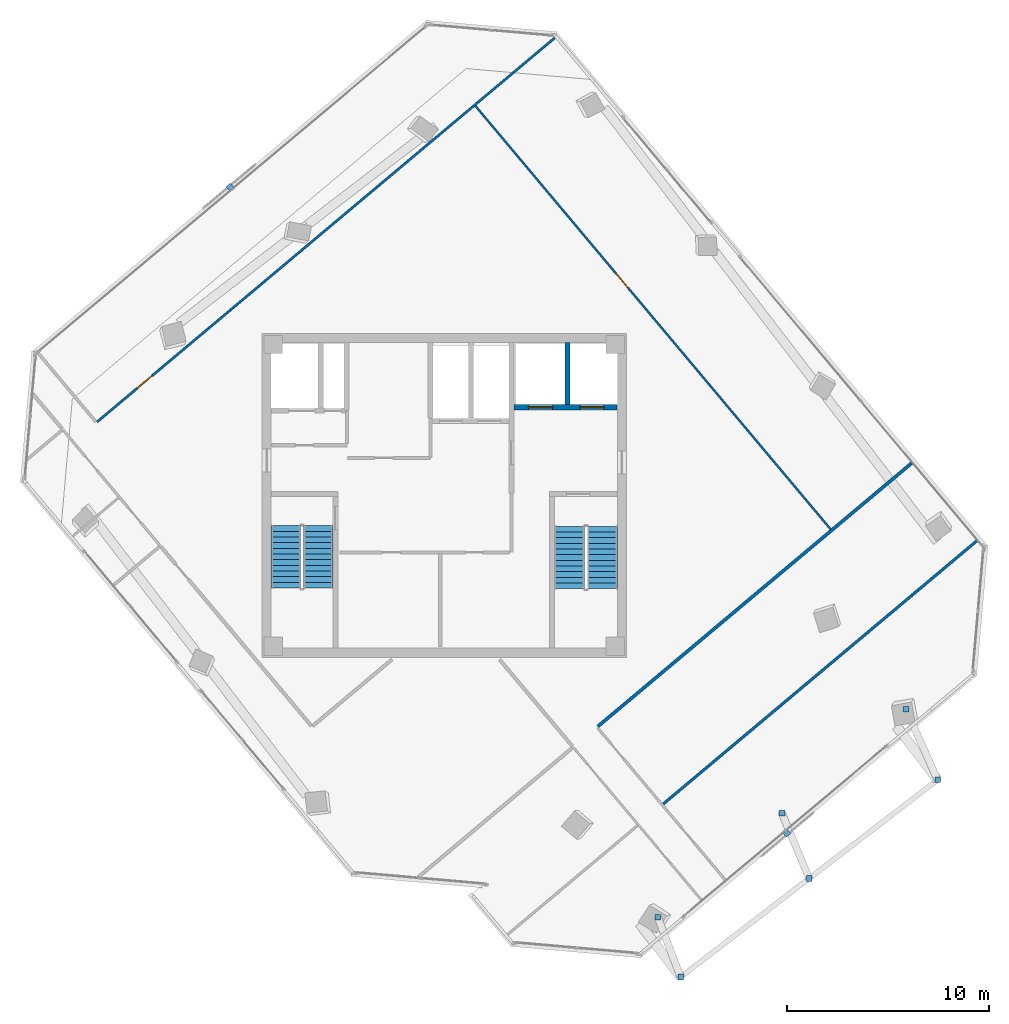
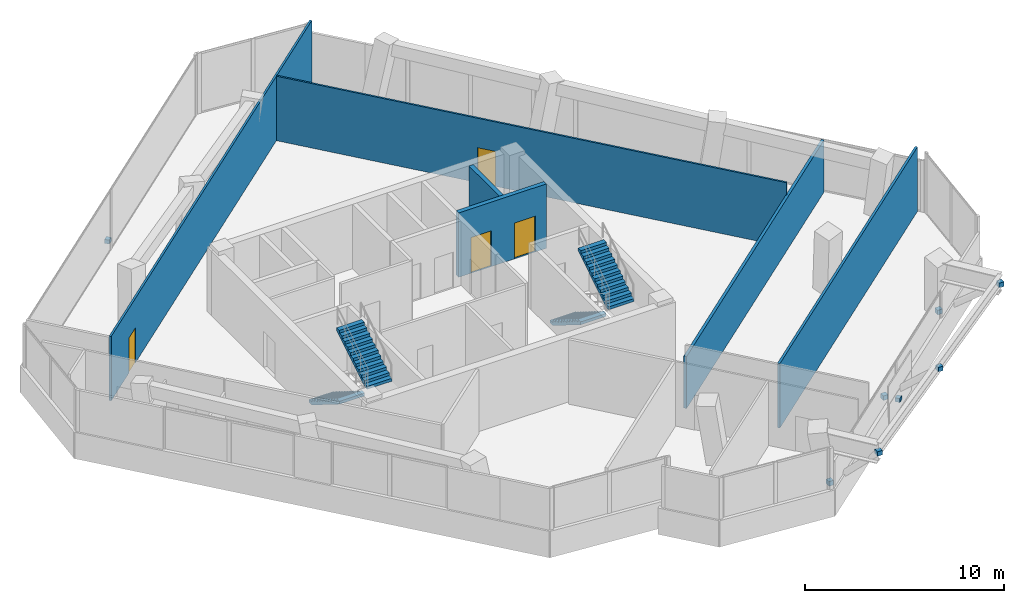
# One storey, part 14 of 17: 8 discrete accessories, 6 walls, 4 doors, 4 stair flights, 4 openings, 2 elements without a shape of their own.
"""IFC4 building model written with IfcOpenShell, lengths in metres."""

from ifc_helpers import new_model, si_unit, direction, frame, frame_2d, origin, origin_2d, place, context, subcontext, project, spatial, polyline, rectangle, outline, extrude, source, transform, mapped, material, layer, layer_set, type_object, element, fill, aggregate, save


model = new_model("IFC4")

# Units and contexts
model_context = context("Model", 3, precision=1e-05, world=origin(), true_north=direction((0.0, 1.0)))
body_context = subcontext(model_context, "Body", "Model", "MODEL_VIEW")
ifc_project = project(units=[si_unit("LENGTHUNIT", "METRE"), si_unit("AREAUNIT", "SQUARE_METRE"), si_unit("VOLUMEUNIT", "CUBIC_METRE"), si_unit("PLANEANGLEUNIT", "RADIAN"), si_unit("MASSUNIT", "GRAM", prefix="KILO")], contexts=[model_context])

# Site, building, storey
site_placement = place(None, origin())
site = spatial("IfcSite", under=ifc_project, at=site_placement, CompositionType="ELEMENT")
building_placement = place(site_placement, origin())
building = spatial("IfcBuilding", under=site, at=building_placement, Name="Torre Montelarca", CompositionType="ELEMENT")
storey_placement = place(building_placement, frame((0.0, 0.0, 275.199951171875)))
storey = spatial("IfcBuildingStorey", under=building, at=storey_placement, Name="L62", CompositionType="ELEMENT", Elevation=275.199951171875)

# Wall, openings, doors
ifc_material_1 = material(Name="Concrete C40/50", Category="concrete")
ifc_layer_1 = layer(ifc_material_1, 0.25, Name="Concrete C40/50", Category="concrete")
ifc_layer_set_1 = layer_set([ifc_layer_1], Name="Concrete C40/50")
wall_type_1 = type_object("IfcWallType", Name="CW-SHAFT-250", PredefinedType="SHEAR", material=ifc_layer_set_1)
wall_1_placement = place(storey_placement, frame((21.449951171875, 36.35009765625, 0.0), z_axis=(0.0, 0.0, 1.0), x_axis=(1.0, 0.0, 0.0)))
wall_1 = element("IfcWall", 1, at=wall_1_placement, inside=storey, type_object=wall_type_1, Name="L62 Core Shear Wall SH-FF-S", PredefinedType="SHEAR", context=body_context, shape_type="SweptSolid", body=[
    extrude(rectangle(XDim=5.090087890625, YDim=0.25, at=frame_2d((2.544921875, 0.0))), origin(), (0.0, 0.0, 1.0), 3.9599609375),
])
opening_1_placement = place(wall_1_placement, frame((0.699951171875, 0.0, 0.0)))
opening_1 = element("IfcOpeningElement", 2, at=opening_1_placement, cuts=wall_1, Name="Opening LD-120", PredefinedType="OPENING", context=body_context, shape_type="SweptSolid", body=[
    extrude(rectangle(XDim=1.199951171875, YDim=2.199951171875, at=frame_2d((0.60009765625, 1.10009765625))), frame((0.0, 0.135009765625, 0.0), z_axis=(0.0, -1.0, 0.0), x_axis=(1.0, 0.0, 0.0)), (0.0, 0.0, 1.0), 0.27001953125),
])
opening_2_placement = place(wall_1_placement, frame((3.25, 0.0, 0.0)))
opening_2 = element("IfcOpeningElement", 3, at=opening_2_placement, cuts=wall_1, Name="Opening LD-120", PredefinedType="OPENING", context=body_context, shape_type="SweptSolid", body=[
    extrude(rectangle(XDim=1.199951171875, YDim=2.199951171875, at=frame_2d((0.60009765625, 1.10009765625))), frame((0.0, 0.135009765625, 0.0), z_axis=(0.0, -1.0, 0.0), x_axis=(1.0, 0.0, 0.0)), (0.0, 0.0, 1.0), 0.27001953125),
])
ifc_material_2 = material(Name="Brushed stainless steel AISI 316", Category="steel")
door_type_1 = type_object("IfcDoorType", Name="DR-LIFT-120", OperationType="SLIDING_TO_RIGHT", PredefinedType="DOOR", material=ifc_material_2)
shared_shape_1 = source(origin(), body_context, "Body", "SweptSolid", [
    extrude(rectangle(XDim=1.199951171875, YDim=2.199951171875, at=frame_2d((0.60009765625, 1.10009765625))), frame((0.0, 0.02490234375, 0.0), z_axis=(0.0, -1.0, 0.0), x_axis=(1.0, 0.0, 0.0)), (0.0, 0.0, 1.0), 0.050048828125),
])
door_1_placement = place(opening_1_placement, origin())
door_1 = element("IfcDoor", 4, at=door_1_placement, inside=storey, type_object=door_type_1, Name="L62 Lift Landing Sliding Door FF-1", OperationType="SLIDING_TO_LEFT", OverallHeight=2.199951171875, OverallWidth=1.199951171875, PredefinedType="DOOR", context=body_context, shape_type="MappedRepresentation", body=[
    mapped(shared_shape_1, transform((0.0, 0.0, 0.0), scale=1.0)),
])
fill(opening_1, door_1)
door_2_placement = place(opening_2_placement, origin())
door_2 = element("IfcDoor", 5, at=door_2_placement, inside=storey, type_object=door_type_1, Name="L62 Lift Landing Sliding Door FF-2", OperationType="SLIDING_TO_RIGHT", OverallHeight=2.199951171875, OverallWidth=1.199951171875, PredefinedType="DOOR", context=body_context, shape_type="MappedRepresentation", body=[
    mapped(shared_shape_1, transform((0.0, 0.0, 0.0), scale=1.0)),
])
fill(opening_2, door_2)

# Walls
wall_2_placement = place(storey_placement, frame((24.080078125, 36.47998046875, 0.0), z_axis=(0.0, 0.0, 1.0), x_axis=(0.0, 1.0, 0.0)))
element("IfcWall", 6, at=wall_2_placement, inside=storey, type_object=wall_type_1, Name="L62 Core Shear Wall SH-FF-M", PredefinedType="SHEAR", context=body_context, shape_type="SweptSolid", body=[
    extrude(rectangle(XDim=3.06005859375, YDim=0.25, at=frame_2d((1.530029296875, 0.0))), origin(), (0.0, 0.0, 1.0), 3.9599609375),
])
ifc_material_3 = material(Name="Gypsum plasterboard on steel stud", Category="steel")
ifc_layer_2 = layer(ifc_material_3, 0.159912109375, Name="Gypsum plasterboard on steel stud", Category="steel")
ifc_layer_set_2 = layer_set([ifc_layer_2], Name="Gypsum plasterboard on steel stud")
wall_type_2 = type_object("IfcWallType", Name="PW-FIRE-160", PredefinedType="PARTITIONING", material=ifc_layer_set_2)
wall_3_placement = place(storey_placement, frame((25.57568359375, 20.577392578125, 0.0), z_axis=(0.0, 0.0, 1.0), x_axis=(0.76604764673, 0.642783791752, 0.0)))
element("IfcWall", 7, at=wall_3_placement, inside=storey, type_object=wall_type_2, Name="L62 Interior Partition W-L62-ECN", PredefinedType="PARTITIONING", context=body_context, shape_type="SweptSolid", body=[
    extrude(rectangle(XDim=20.239990234375, YDim=0.159912109375, at=frame_2d((10.1201171875, 0.0))), origin(), (0.0, 0.0, 1.0), 3.195068359375),
])

# Wall, opening, door
ifc_material_4 = material(Name="Acoustic laminated glass partition", Category="glass")
ifc_layer_3 = layer(ifc_material_4, 0.10009765625, Name="Acoustic laminated glass partition", Category="glass")
ifc_layer_set_3 = layer_set([ifc_layer_3], Name="Acoustic laminated glass partition")
wall_type_3 = type_object("IfcWallType", Name="PW-GLAZ-100", PredefinedType="PARTITIONING", material=ifc_layer_set_3)
wall_4_placement = place(storey_placement, frame((19.5283203125, 51.2451171875, 0.0), z_axis=(0.0, 0.0, 1.0), x_axis=(0.642782364439, -0.766048844374, 0.0)))
wall_4 = element("IfcWall", 8, at=wall_4_placement, inside=storey, type_object=wall_type_3, Name="L62 Interior Partition W-L62-NBOT", PredefinedType="PARTITIONING", context=body_context, shape_type="SweptSolid", body=[
    extrude(rectangle(XDim=27.340087890625, YDim=0.10009765625, at=frame_2d((13.669921875, 0.0))), origin(), (0.0, 0.0, 1.0), 3.9599609375),
])
opening_3_placement = place(wall_4_placement, frame((10.800048828125, 0.0, 0.0)))
opening_3 = element("IfcOpeningElement", 9, at=opening_3_placement, cuts=wall_4, Name="Opening ID-095", PredefinedType="OPENING", context=body_context, shape_type="SweptSolid", body=[
    extrude(rectangle(XDim=0.949951171875, YDim=2.14990234375, at=frame_2d((0.47509765625, 1.074951171875))), frame((0.0, 0.06005859375, 0.0), z_axis=(0.0, -1.0, 0.0), x_axis=(1.0, 0.0, 0.0)), (0.0, 0.0, 1.0), 0.1201171875),
])
ifc_material_5 = material(Name="Hardwood acoustic timber veneer", Category="wood")
door_type_2 = type_object("IfcDoorType", Name="DR-INT-095", OperationType="NOTDEFINED", PredefinedType="DOOR", material=ifc_material_5)
shared_shape_2 = source(origin(), body_context, "Body", "SweptSolid", [
    extrude(rectangle(XDim=0.949951171875, YDim=2.14990234375, at=frame_2d((0.47509765625, 1.074951171875))), frame((0.0, 0.02490234375, 0.0), z_axis=(0.0, -1.0, 0.0), x_axis=(1.0, 0.0, 0.0)), (0.0, 0.0, 1.0), 0.050048828125),
])
door_3_placement = place(opening_3_placement, origin())
door_3 = element("IfcDoor", 10, at=door_3_placement, inside=storey, type_object=door_type_2, Name="L62 Interior Door 08", OperationType="SINGLE_SWING_LEFT", OverallHeight=2.14990234375, OverallWidth=0.949951171875, PredefinedType="DOOR", context=body_context, shape_type="MappedRepresentation", body=[
    mapped(shared_shape_2, transform((0.0, 0.0, 0.0), scale=1.0)),
])
fill(opening_3, door_3)

ifc_layer_4 = layer(ifc_material_3, 0.114990234375, Name="Gypsum plasterboard on steel stud", Category="steel")
ifc_layer_set_4 = layer_set([ifc_layer_4], Name="Gypsum plasterboard on steel stud")
wall_type_4 = type_object("IfcWallType", Name="PW-PART-115", PredefinedType="PARTITIONING", material=ifc_layer_set_4)
wall_5_placement = place(storey_placement, frame((0.849365234375, 35.623779296875, 0.0), z_axis=(0.0, 0.0, 1.0), x_axis=(0.766042777978, 0.642789594119, 0.0)))
wall_5 = element("IfcWall", 11, at=wall_5_placement, inside=storey, type_object=wall_type_4, Name="L62 Interior Partition W-L62-WWGE", PredefinedType="PARTITIONING", context=body_context, shape_type="SweptSolid", body=[
    extrude(rectangle(XDim=29.510009765625, YDim=0.114990234375, at=frame_2d((14.7548828125, 0.0))), origin(), (0.0, 0.0, 1.0), 3.9599609375),
])
opening_4_placement = place(wall_5_placement, frame((2.60009765625, 0.0, 0.0)))
opening_4 = element("IfcOpeningElement", 12, at=opening_4_placement, cuts=wall_5, Name="Opening ID-095", PredefinedType="OPENING", context=body_context, shape_type="SweptSolid", body=[
    extrude(rectangle(XDim=0.949951171875, YDim=2.14990234375, at=frame_2d((0.47509765625, 1.074951171875))), frame((0.0, 0.0673828125, 0.0), z_axis=(0.0, -1.0, 0.0), x_axis=(1.0, 0.0, 0.0)), (0.0, 0.0, 1.0), 0.135009765625),
])
door_4_placement = place(opening_4_placement, origin())
door_4 = element("IfcDoor", 13, at=door_4_placement, inside=storey, type_object=door_type_2, Name="L62 Interior Door 09", OperationType="SINGLE_SWING_LEFT", OverallHeight=2.14990234375, OverallWidth=0.949951171875, PredefinedType="DOOR", context=body_context, shape_type="MappedRepresentation", body=[
    mapped(shared_shape_2, transform((0.0, 0.0, 0.0), scale=1.0)),
])
fill(opening_4, door_4)

# Wall
ifc_layer_5 = layer(ifc_material_3, 0.135009765625, Name="Gypsum plasterboard on steel stud", Category="steel")
ifc_layer_set_5 = layer_set([ifc_layer_5], Name="Gypsum plasterboard on steel stud")
wall_type_5 = type_object("IfcWallType", Name="PW-PART-135", PredefinedType="PARTITIONING", material=ifc_layer_set_5)
wall_6_placement = place(storey_placement, frame((28.796142578125, 16.739501953125, 0.0), z_axis=(0.0, 0.0, 1.0), x_axis=(0.766036723368, 0.642796809616, 0.0)))
element("IfcWall", 14, at=wall_6_placement, inside=storey, type_object=wall_type_5, Name="L62 Interior Partition W-L62-NEDIV-1", PredefinedType="PARTITIONING", context=body_context, shape_type="SweptSolid", body=[
    extrude(rectangle(XDim=20.239990234375, YDim=0.135009765625, at=frame_2d((10.1201171875, 0.0))), origin(), (0.0, 0.0, 1.0), 3.9599609375),
])

# Stair, stair flights
stair_type_1 = type_object("IfcStairType", Name="ST-CORE-ST1", PredefinedType="HALF_TURN_STAIR", material=ifc_material_1)
stair_1_placement = place(storey_placement, origin())
stair_1 = element("IfcStair", 15, at=stair_1_placement, inside=storey, type_object=stair_type_1, Name="L62 Protected Exit Stair ST1", PredefinedType="HALF_TURN_STAIR")
stair_flight_type_1 = type_object("IfcStairFlightType", Name="SFL-CORE-ST1", PredefinedType="STRAIGHT", material=ifc_material_1)
stair_flight_1_placement = place(storey_placement, frame((10.175048828125, 30.5, 0.0), z_axis=(0.0, 0.0, 1.0), x_axis=(0.0, -1.0, 0.0)))
stair_flight_1 = element("IfcStairFlight", 16, at=stair_flight_1_placement, type_object=stair_flight_type_1, Name="ST1 flight 1", NumberOfRisers=12, NumberOfTreads=11, PredefinedType="STRAIGHT", RiserHeight=0.175, TreadLength=0.28, context=body_context, shape_type="SweptSolid", body=[
    extrude(outline(polyline([(0.0, 0.0), (0.0, 0.175048828125), (0.280029296875, 0.175048828125), (0.280029296875, 0.35009765625), (0.56005859375, 0.35009765625), (0.56005859375, 0.52490234375), (0.840087890625, 0.52490234375), (0.840087890625, 0.699951171875), (1.1201171875, 0.699951171875), (1.1201171875, 0.875), (1.39990234375, 0.875), (1.39990234375, 1.050048828125), (1.679931640625, 1.050048828125), (1.679931640625, 1.22509765625), (1.9599609375, 1.22509765625), (1.9599609375, 1.39990234375), (2.239990234375, 1.39990234375), (2.239990234375, 1.574951171875), (2.52001953125, 1.574951171875), (2.52001953125, 1.75), (2.800048828125, 1.75), (2.800048828125, 1.925048828125), (3.080078125, 1.925048828125), (3.080078125, 2.10009765625), (3.080078125, 1.748291015625), (0.28271484375, 0.0), (0.0, 0.0)])), frame((0.0, 0.72509765625, 0.0), z_axis=(0.0, -1.0, 0.0), x_axis=(1.0, 0.0, 0.0)), (0.0, 0.0, 1.0), 1.449951171875),
])
stair_flight_2_placement = place(storey_placement, frame((11.77490234375, 27.419921875, 2.10009765625), z_axis=(0.0, 0.0, 1.0), x_axis=(0.0, 1.0, 0.0)))
stair_flight_2 = element("IfcStairFlight", 17, at=stair_flight_2_placement, type_object=stair_flight_type_1, Name="ST1 flight 2", NumberOfRisers=12, NumberOfTreads=11, PredefinedType="STRAIGHT", RiserHeight=0.175, TreadLength=0.28, context=body_context, shape_type="SweptSolid", body=[
    extrude(outline(polyline([(0.0, 0.0), (0.0, 0.175048828125), (0.280029296875, 0.175048828125), (0.280029296875, 0.35009765625), (0.56005859375, 0.35009765625), (0.56005859375, 0.52490234375), (0.840087890625, 0.52490234375), (0.840087890625, 0.699951171875), (1.1201171875, 0.699951171875), (1.1201171875, 0.875), (1.39990234375, 0.875), (1.39990234375, 1.050048828125), (1.679931640625, 1.050048828125), (1.679931640625, 1.22509765625), (1.9599609375, 1.22509765625), (1.9599609375, 1.39990234375), (2.239990234375, 1.39990234375), (2.239990234375, 1.574951171875), (2.52001953125, 1.574951171875), (2.52001953125, 1.75), (2.800048828125, 1.75), (2.800048828125, 1.925048828125), (3.080078125, 1.925048828125), (3.080078125, 2.10009765625), (3.080078125, 1.748291015625), (0.28271484375, 0.0), (0.0, 0.0)])), frame((0.0, 0.72509765625, 0.0), z_axis=(0.0, -1.0, 0.0), x_axis=(1.0, 0.0, 0.0)), (0.0, 0.0, 1.0), 1.449951171875),
])
aggregate(stair_1, [stair_flight_1, stair_flight_2])

stair_type_2 = type_object("IfcStairType", Name="ST-CORE-ST2", PredefinedType="HALF_TURN_STAIR", material=ifc_material_1)
stair_2_placement = place(storey_placement, origin())
stair_2 = element("IfcStair", 18, at=stair_2_placement, inside=storey, type_object=stair_type_2, Name="L62 Protected Exit Stair ST2", PredefinedType="HALF_TURN_STAIR")
stair_flight_type_2 = type_object("IfcStairFlightType", Name="SFL-CORE-ST2", PredefinedType="STRAIGHT", material=ifc_material_1)
stair_flight_3_placement = place(storey_placement, frame((24.179931640625, 30.469970703125, 0.0), z_axis=(0.0, 0.0, 1.0), x_axis=(0.0, -1.0, 0.0)))
stair_flight_3 = element("IfcStairFlight", 19, at=stair_flight_3_placement, type_object=stair_flight_type_2, Name="ST2 flight 1", NumberOfRisers=12, NumberOfTreads=11, PredefinedType="STRAIGHT", RiserHeight=0.175, TreadLength=0.28, context=body_context, shape_type="SweptSolid", body=[
    extrude(outline(polyline([(0.0, 0.0), (0.0, 0.175048828125), (0.280029296875, 0.175048828125), (0.280029296875, 0.35009765625), (0.56005859375, 0.35009765625), (0.56005859375, 0.52490234375), (0.840087890625, 0.52490234375), (0.840087890625, 0.699951171875), (1.1201171875, 0.699951171875), (1.1201171875, 0.875), (1.39990234375, 0.875), (1.39990234375, 1.050048828125), (1.679931640625, 1.050048828125), (1.679931640625, 1.22509765625), (1.9599609375, 1.22509765625), (1.9599609375, 1.39990234375), (2.239990234375, 1.39990234375), (2.239990234375, 1.574951171875), (2.52001953125, 1.574951171875), (2.52001953125, 1.75), (2.800048828125, 1.75), (2.800048828125, 1.925048828125), (3.080078125, 1.925048828125), (3.080078125, 2.10009765625), (3.080078125, 1.748291015625), (0.28271484375, 0.0), (0.0, 0.0)])), frame((0.0, 0.739990234375, 0.0), z_axis=(0.0, -1.0, 0.0), x_axis=(1.0, 0.0, 0.0)), (0.0, 0.0, 1.0), 1.47998046875),
])
stair_flight_4_placement = place(storey_placement, frame((25.81005859375, 27.389892578125, 2.10009765625), z_axis=(0.0, 0.0, 1.0), x_axis=(0.0, 1.0, 0.0)))
stair_flight_4 = element("IfcStairFlight", 20, at=stair_flight_4_placement, type_object=stair_flight_type_2, Name="ST2 flight 2", NumberOfRisers=12, NumberOfTreads=11, PredefinedType="STRAIGHT", RiserHeight=0.175, TreadLength=0.28, context=body_context, shape_type="SweptSolid", body=[
    extrude(outline(polyline([(0.0, 0.0), (0.0, 0.175048828125), (0.280029296875, 0.175048828125), (0.280029296875, 0.35009765625), (0.56005859375, 0.35009765625), (0.56005859375, 0.52490234375), (0.840087890625, 0.52490234375), (0.840087890625, 0.699951171875), (1.1201171875, 0.699951171875), (1.1201171875, 0.875), (1.39990234375, 0.875), (1.39990234375, 1.050048828125), (1.679931640625, 1.050048828125), (1.679931640625, 1.22509765625), (1.9599609375, 1.22509765625), (1.9599609375, 1.39990234375), (2.239990234375, 1.39990234375), (2.239990234375, 1.574951171875), (2.52001953125, 1.574951171875), (2.52001953125, 1.75), (2.800048828125, 1.75), (2.800048828125, 1.925048828125), (3.080078125, 1.925048828125), (3.080078125, 2.10009765625), (3.080078125, 1.748291015625), (0.28271484375, 0.0), (0.0, 0.0)])), frame((0.0, 0.739990234375, 0.0), z_axis=(0.0, -1.0, 0.0), x_axis=(1.0, 0.0, 0.0)), (0.0, 0.0, 1.0), 1.47998046875),
])
aggregate(stair_2, [stair_flight_3, stair_flight_4])

# Discrete accessories
ifc_material_6 = material(Name="Stainless steel AISI 316", Category="steel")
discrete_accessory_type = type_object("IfcDiscreteAccessoryType", Name="ACC-BRACKET-SS", PredefinedType="BRACKET", material=ifc_material_6)
shared_shape_3 = source(origin(), body_context, "Body", "SweptSolid", [
    extrude(rectangle(XDim=0.280029296875, YDim=0.280029296875, at=origin_2d()), origin(), (0.0, 0.0, 1.0), 0.280029296875),
])
for number, where, z_axis, x_axis, name in (
    (21, (28.548828125, 11.15380859375, 0.01025390625), (0.0, 0.0, 1.0), (1.0, 0.0, 0.0), "L63 Raker End Connection Bracket E1-FT"),
    (22, (29.672119140625, 8.20849609375, 3.2451171875), (0.0, 0.0, 1.0), (1.0, 0.0, 0.0), "L63 Raker End Connection Bracket E1-HD"),
    (23, (34.677001953125, 16.296142578125, 0.01025390625), (0.0, 0.0, 1.0), (1.0, 0.0, 0.0), "L63 Raker End Connection Bracket E2-FT"),
    (24, (36.01904296875, 13.07861328125, 3.2451171875), (0.0, 0.0, 1.0), (1.0, 0.0, 0.0), "L63 Raker End Connection Bracket E2-HD"),
    (25, (40.805419921875, 21.4384765625, 0.01025390625), (0.0, 0.0, 1.0), (1.0, 0.0, 0.0), "L63 Raker End Connection Bracket E3-FT"),
    (26, (42.36572265625, 17.948486328125, 3.2451171875), (0.0, 0.0, 1.0), (1.0, 0.0, 0.0), "L63 Raker End Connection Bracket E3-HD"),
):
    element("IfcDiscreteAccessory", number, at=place(storey_placement, frame(where, z_axis=z_axis, x_axis=x_axis)), inside=storey, type_object=discrete_accessory_type, Name=name, PredefinedType="BRACKET", context=body_context, shape_type="MappedRepresentation", body=[
        mapped(shared_shape_3, transform((0.0, 0.0, 0.0), scale=1.0)),
    ])
shared_shape_4 = source(origin(), body_context, "Body", "SweptSolid", [
    extrude(rectangle(XDim=0.280029296875, YDim=0.260009765625, at=origin_2d()), origin(), (0.0, 0.0, 1.0), 0.239990234375),
])
for number, where, z_axis, x_axis, name in (
    (27, (34.923095703125, 15.301513671875, 0.39990234375), (0.0, 0.0, 1.0), (0.766045564994, 0.642786272686, 0.0), "L62 Solar Screen Support Bracket E6-1"),
    (28, (7.415283203125, 47.2294921875, 0.39990234375), (0.0, 0.0, 1.0), (-0.766044443119, -0.642787609687, 0.0), "L62 Solar Screen Support Bracket E10-1"),
):
    element("IfcDiscreteAccessory", number, at=place(storey_placement, frame(where, z_axis=z_axis, x_axis=x_axis)), inside=storey, type_object=discrete_accessory_type, Name=name, PredefinedType="BRACKET", context=body_context, shape_type="MappedRepresentation", body=[
        mapped(shared_shape_4, transform((0.0, 0.0, 0.0), scale=1.0)),
    ])

save(model, "model.ifc")
